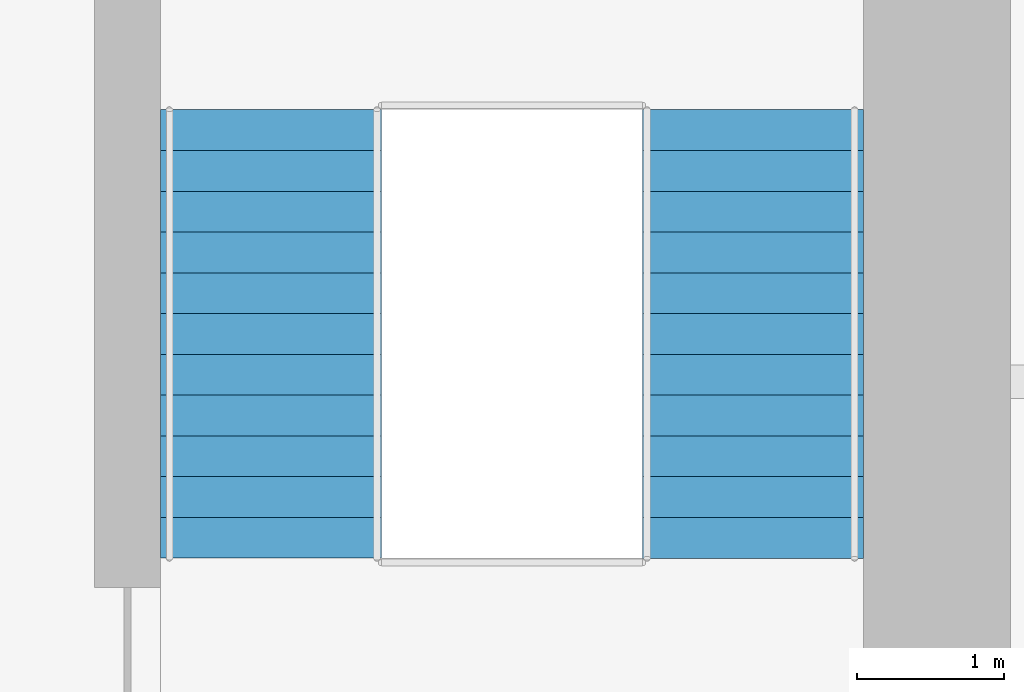
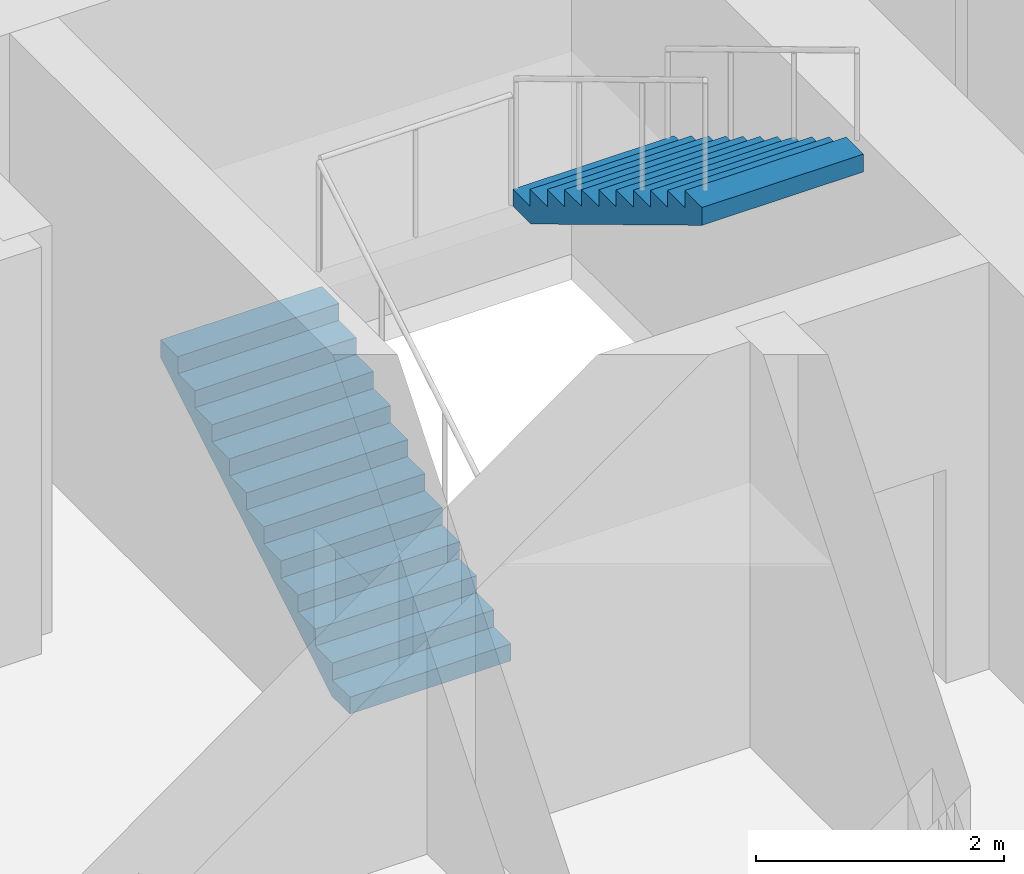
# One storey, part 12 of 14: 2 stair flights, 1 element without a shape of its own.
"""IFC4 building model written with IfcOpenShell, lengths in metres."""

from ifc_helpers import new_model, si_unit, direction, frame, origin, place, context, subcontext, project, spatial, polyline, outline, extrude, material, type_object, element, aggregate, save


model = new_model("IFC4")

# Units and contexts
model_context = context("Model", 3, precision=1e-05, world=origin(), true_north=direction((0.0, 1.0)))
body_context = subcontext(model_context, "Body", "Model", "MODEL_VIEW")
ifc_project = project(units=[si_unit("LENGTHUNIT", "METRE"), si_unit("AREAUNIT", "SQUARE_METRE"), si_unit("VOLUMEUNIT", "CUBIC_METRE"), si_unit("PLANEANGLEUNIT", "RADIAN"), si_unit("MASSUNIT", "GRAM", prefix="KILO")], contexts=[model_context])

# Site, building, storey
site_placement = place(None, origin())
site = spatial("IfcSite", under=ifc_project, at=site_placement, CompositionType="ELEMENT")
building_placement = place(site_placement, origin())
building = spatial("IfcBuilding", under=site, at=building_placement, Name="Tarangal Relay Tower", CompositionType="ELEMENT")
storey_placement = place(building_placement, frame((0.0, 0.0, 249.89990234375)))
storey = spatial("IfcBuildingStorey", under=building, at=storey_placement, Name="L54", CompositionType="ELEMENT", Elevation=249.89990234375)

# Stair, stair flights
ifc_material = material(Name="Steel ASTM A992 stair flight", Category="steel")
stair_type = type_object("IfcStairType", Name="Core stair 1500", PredefinedType="HALF_TURN_STAIR", material=ifc_material)
stair_placement = place(storey_placement, origin())
stair = element("IfcStair", 1, at=stair_placement, inside=storey, type_object=stair_type, Name="Stair ST-B L54", PredefinedType="HALF_TURN_STAIR")
stair_flight_type = type_object("IfcStairFlightType", Name="Steel stair flight 1500, 12 risers 167 x 277", PredefinedType="STRAIGHT", material=ifc_material)
stair_flight_1_placement = place(storey_placement, frame((6.97509765625, 6.300048828125, 0.0), z_axis=(0.0, 0.0, 1.0), x_axis=(0.0, 1.0, 0.0)))
stair_flight_1 = element("IfcStairFlight", 2, at=stair_flight_1_placement, type_object=stair_flight_type, Name="ST-B flight 1", NumberOfRisers=12, NumberOfTreads=11, PredefinedType="STRAIGHT", RiserHeight=0.166666667, TreadLength=0.277, context=body_context, shape_type="SweptSolid", body=[
    extrude(outline(polyline([(0.0, 0.0), (0.0, 0.166748046875), (0.277099609375, 0.166748046875), (0.277099609375, 0.333251953125), (0.553955078125, 0.333251953125), (0.553955078125, 0.5), (0.8310546875, 0.5), (0.8310546875, 0.666748046875), (1.10791015625, 0.666748046875), (1.10791015625, 0.833251953125), (1.385009765625, 0.833251953125), (1.385009765625, 1.0), (1.662109375, 1.0), (1.662109375, 1.166748046875), (1.93896484375, 1.166748046875), (1.93896484375, 1.333251953125), (2.216064453125, 1.333251953125), (2.216064453125, 1.5), (2.492919921875, 1.5), (2.492919921875, 1.666748046875), (2.77001953125, 1.666748046875), (2.77001953125, 1.833251953125), (3.047119140625, 1.833251953125), (3.047119140625, 2.0), (3.047119140625, 1.658447265625), (0.290771484375, 0.0), (0.0, 0.0)])), frame((0.0, 0.75, 0.0), z_axis=(0.0, -1.0, 0.0), x_axis=(1.0, 0.0, 0.0)), (0.0, 0.0, 1.0), 1.5),
])
stair_flight_2_placement = place(storey_placement, frame((10.25, 9.346923828125, 2.0), z_axis=(0.0, 0.0, 1.0), x_axis=(0.0, -1.0, 0.0)))
stair_flight_2 = element("IfcStairFlight", 3, at=stair_flight_2_placement, type_object=stair_flight_type, Name="ST-B flight 2", NumberOfRisers=12, NumberOfTreads=11, PredefinedType="STRAIGHT", RiserHeight=0.166666667, TreadLength=0.277, context=body_context, shape_type="SweptSolid", body=[
    extrude(outline(polyline([(0.0, 0.0), (0.0, 0.166748046875), (0.277099609375, 0.166748046875), (0.277099609375, 0.333251953125), (0.553955078125, 0.333251953125), (0.553955078125, 0.5), (0.8310546875, 0.5), (0.8310546875, 0.666748046875), (1.10791015625, 0.666748046875), (1.10791015625, 0.833251953125), (1.385009765625, 0.833251953125), (1.385009765625, 1.0), (1.662109375, 1.0), (1.662109375, 1.166748046875), (1.93896484375, 1.166748046875), (1.93896484375, 1.333251953125), (2.216064453125, 1.333251953125), (2.216064453125, 1.5), (2.492919921875, 1.5), (2.492919921875, 1.666748046875), (2.77001953125, 1.666748046875), (2.77001953125, 1.833251953125), (3.047119140625, 1.833251953125), (3.047119140625, 2.0), (3.047119140625, 1.658447265625), (0.290771484375, 0.0), (0.0, 0.0)])), frame((0.0, 0.75, 0.0), z_axis=(0.0, -1.0, 0.0), x_axis=(1.0, 0.0, 0.0)), (0.0, 0.0, 1.0), 1.5),
])
aggregate(stair, [stair_flight_1, stair_flight_2])

save(model, "model.ifc")
